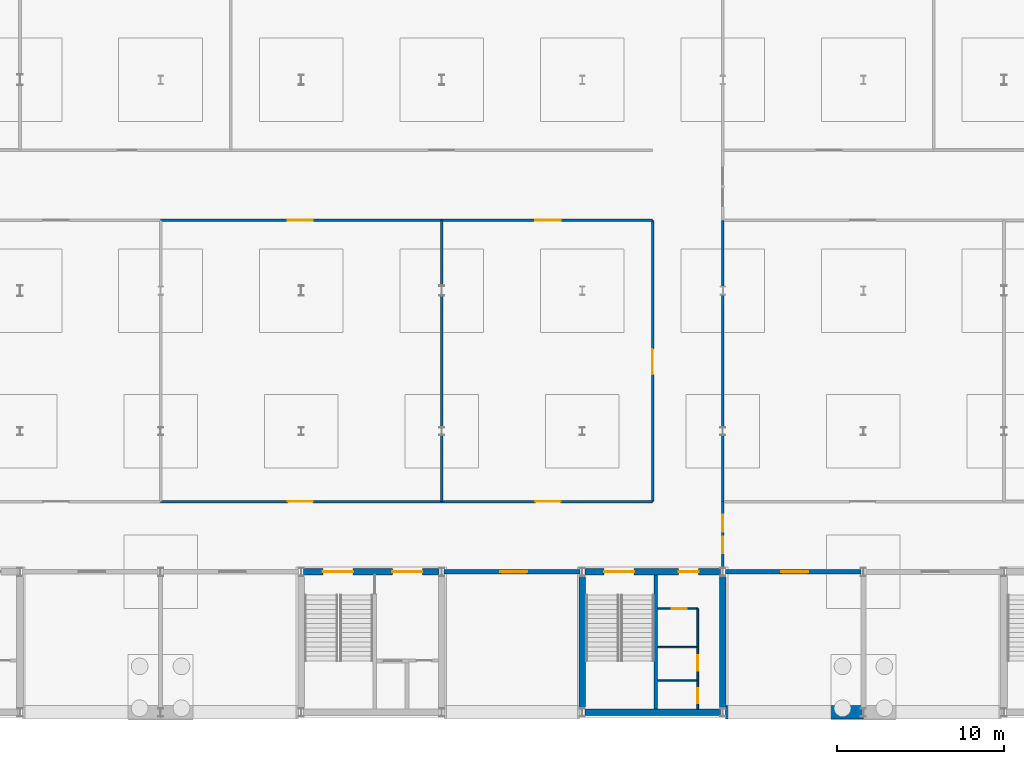
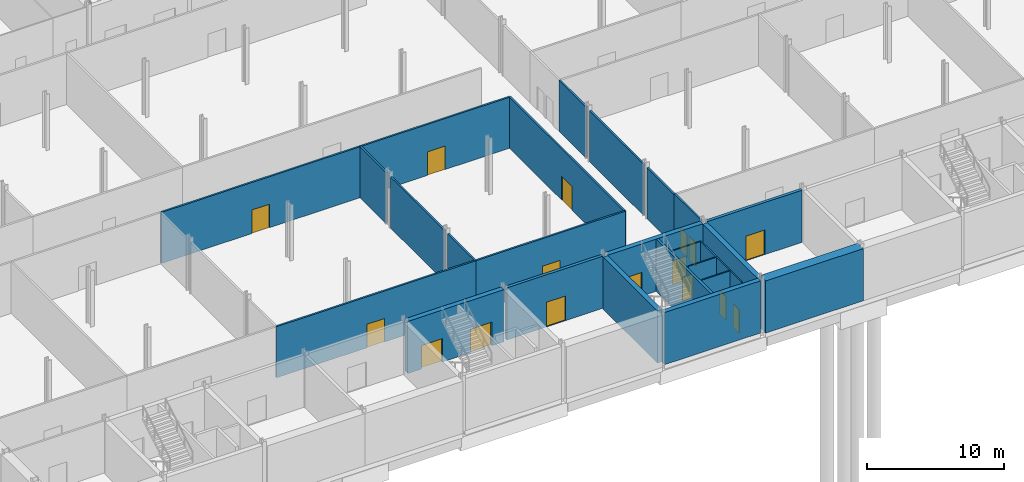
# One storey, part 13 of 22: 27 walls, 16 doors, 16 openings.
"""IFC4 building model written with IfcOpenShell, lengths in metres."""

from ifc_helpers import new_model, si_unit, direction, frame, frame_2d, origin, place, context, subcontext, project, spatial, rectangle, extrude, material, layer, layer_set, type_object, element, fill, save


model = new_model("IFC4")

# Units and contexts
model_context = context("Model", 3, precision=1e-05, world=origin(), true_north=direction((0.0, 1.0)))
body_context = subcontext(model_context, "Body", "Model", "MODEL_VIEW")
ifc_project = project(units=[si_unit("LENGTHUNIT", "METRE"), si_unit("AREAUNIT", "SQUARE_METRE"), si_unit("VOLUMEUNIT", "CUBIC_METRE"), si_unit("PLANEANGLEUNIT", "RADIAN"), si_unit("MASSUNIT", "GRAM", prefix="KILO")], contexts=[model_context])

# Site, building, storey
site_placement = place(None, origin())
site = spatial("IfcSite", under=ifc_project, at=site_placement, CompositionType="ELEMENT")
building_placement = place(site_placement, origin())
building = spatial("IfcBuilding", under=site, at=building_placement, Name="Galleria Vessillo Department Store", CompositionType="ELEMENT")
storey_placement = place(building_placement, frame((0.0, 0.0, -9.89990234375)))
storey = spatial("IfcBuildingStorey", under=building, at=storey_placement, Name="B2", CompositionType="ELEMENT", Elevation=-9.89990234375)

# Wall
ifc_material_1 = material(Name="Concrete C32/40 reinforced", Category="concrete")
ifc_layer_1 = layer(ifc_material_1, 0.800048828125)
ifc_layer_set_1 = layer_set([ifc_layer_1], Name="Concrete C32/40 reinforced")
wall_type_1 = type_object("IfcWallType", Name="Diaphragm wall 800 mm", PredefinedType="SOLIDWALL", material=ifc_layer_set_1)
wall_1_placement = place(storey_placement, frame((58.949951171875, 0.0, 0.0), z_axis=(0.0, 0.0, 1.0), x_axis=(1.0, 0.0, 0.0)))
element("IfcWall", 1, at=wall_1_placement, inside=storey, type_object=wall_type_1, Name="S-BW-S-B2-05", PredefinedType="SOLIDWALL", context=body_context, shape_type="SweptSolid", body=[
    extrude(rectangle(XDim=8.25, YDim=0.800048828125, at=frame_2d((4.125, 0.0))), origin(), (0.0, 0.0, 1.0), 4.64990234375),
])

# Wall, openings, doors
ifc_material_2 = material(Name="Concrete blockwork", Category="masonry")
ifc_layer_2 = layer(ifc_material_2, 0.14990234375)
ifc_layer_set_2 = layer_set([ifc_layer_2], Name="Concrete blockwork")
wall_type_2 = type_object("IfcWallType", Name="Fire-resisting dividing wall EI 120 150 mm", PredefinedType="SOLIDWALL", material=ifc_layer_set_2)
wall_2_placement = place(storey_placement, frame((58.800048828125, 8.64990234375, 0.0), z_axis=(0.0, 0.0, 1.0), x_axis=(0.0, 1.0, 0.0)))
wall_2 = element("IfcWall", 2, at=wall_2_placement, inside=storey, type_object=wall_type_2, Name="Partition wall PT12 on B2 no. 013", PredefinedType="SOLIDWALL", context=body_context, shape_type="SweptSolid", body=[
    extrude(rectangle(XDim=3.9501953125, YDim=0.14990234375, at=frame_2d((1.97509765625, 0.0))), origin(), (0.0, 0.0, 1.0), 4.64990234375),
])
opening_1_placement = place(wall_2_placement, frame((0.85009765625, 0.0, 0.0)))
opening_1 = element("IfcOpeningElement", 3, at=opening_1_placement, cuts=wall_2, Name="Opening D2007", PredefinedType="OPENING", context=body_context, shape_type="SweptSolid", body=[
    extrude(rectangle(XDim=1.0, YDim=2.10009765625, at=frame_2d((0.5, 1.050048828125))), frame((0.0, 0.0849609375, 0.0), z_axis=(0.0, -1.0, 0.0), x_axis=(1.0, 0.0, 0.0)), (0.0, 0.0, 1.0), 0.169921875),
])
opening_2_placement = place(wall_2_placement, frame((2.14990234375, 0.0, 0.0)))
opening_2 = element("IfcOpeningElement", 4, at=opening_2_placement, cuts=wall_2, Name="Opening D2008", PredefinedType="OPENING", context=body_context, shape_type="SweptSolid", body=[
    extrude(rectangle(XDim=1.0, YDim=2.10009765625, at=frame_2d((0.5, 1.050048828125))), frame((0.0, 0.0849609375, 0.0), z_axis=(0.0, -1.0, 0.0), x_axis=(1.0, 0.0, 0.0)), (0.0, 0.0, 1.0), 0.169921875),
])
ifc_material_3 = material(Name="Steel fire door leaf", Category="steel")
door_type_1 = type_object("IfcDoorType", Name="Fire door EI2 120-Sa 1000 single leaf", OperationType="SINGLE_SWING_LEFT", PredefinedType="DOOR", material=ifc_material_3)
door_1_placement = place(opening_1_placement, origin())
door_1 = element("IfcDoor", 5, at=door_1_placement, inside=storey, type_object=door_type_1, Name="Door D2007", OperationType="SINGLE_SWING_LEFT", OverallHeight=2.10009765625, OverallWidth=1.0, PredefinedType="DOOR", context=body_context, shape_type="SweptSolid", body=[
    extrude(rectangle(XDim=1.0, YDim=2.10009765625, at=frame_2d((0.5, 1.050048828125))), frame((0.0, 0.02490234375, 0.0), z_axis=(0.0, -1.0, 0.0), x_axis=(1.0, 0.0, 0.0)), (0.0, 0.0, 1.0), 0.050048828125),
])
fill(opening_1, door_1)
door_2_placement = place(opening_2_placement, frame((1.0, 0.0, 0.0), z_axis=(0.0, 0.0, 1.0), x_axis=(-1.0, 0.0, 0.0)))
door_2 = element("IfcDoor", 6, at=door_2_placement, inside=storey, type_object=door_type_1, Name="Door D2008", OperationType="SINGLE_SWING_LEFT", OverallHeight=2.10009765625, OverallWidth=1.0, PredefinedType="DOOR", context=body_context, shape_type="SweptSolid", body=[
    extrude(rectangle(XDim=1.0, YDim=2.10009765625, at=frame_2d((0.5, 1.050048828125))), frame((0.0, 0.02490234375, 0.0), z_axis=(0.0, -1.0, 0.0), x_axis=(1.0, 0.0, 0.0)), (0.0, 0.0, 1.0), 0.050048828125),
])
fill(opening_2, door_2)

# Wall, opening, door
ifc_material_4 = material(Name="Brick masonry", Category="masonry")
ifc_layer_3 = layer(ifc_material_4, 0.25)
ifc_layer_set_3 = layer_set([ifc_layer_3], Name="Brick masonry")
wall_type_3 = type_object("IfcWallType", Name="Plant room masonry wall 250 mm", PredefinedType="SOLIDWALL", material=ifc_layer_set_3)
wall_3_placement = place(storey_placement, frame((42.14990234375, 8.39990234375, 0.0), z_axis=(0.0, 0.0, 1.0), x_axis=(1.0, 0.0, 0.0)))
wall_3 = element("IfcWall", 7, at=wall_3_placement, inside=storey, type_object=wall_type_3, Name="Partition wall PT10 on B2 no. 017", PredefinedType="SOLIDWALL", context=body_context, shape_type="SweptSolid", body=[
    extrude(rectangle(XDim=8.10009765625, YDim=0.25, at=frame_2d((4.050048828125, 0.0))), origin(), (0.0, 0.0, 1.0), 4.64990234375),
])
opening_3_placement = place(wall_3_placement, frame((3.35009765625, 0.0, 0.0)))
opening_3 = element("IfcOpeningElement", 8, at=opening_3_placement, cuts=wall_3, Name="Opening D2012", PredefinedType="OPENING", context=body_context, shape_type="SweptSolid", body=[
    extrude(rectangle(XDim=1.60009765625, YDim=2.199951171875, at=frame_2d((0.800048828125, 1.10009765625))), frame((0.0, 0.135009765625, 0.0), z_axis=(0.0, -1.0, 0.0), x_axis=(1.0, 0.0, 0.0)), (0.0, 0.0, 1.0), 0.27001953125),
])
ifc_material_5 = material(Name="Steel fire door leaf", Category="steel")
door_type_2 = type_object("IfcDoorType", Name="Plant room fire door 1600 x 2200 double leaf", OperationType="DOUBLE_DOOR_SINGLE_SWING", PredefinedType="DOOR", material=ifc_material_5)
door_3_placement = place(opening_3_placement, frame((1.60009765625, 0.0, 0.0), z_axis=(0.0, 0.0, 1.0), x_axis=(-1.0, 0.0, 0.0)))
door_3 = element("IfcDoor", 9, at=door_3_placement, inside=storey, type_object=door_type_2, Name="Door D2012", OperationType="DOUBLE_DOOR_SINGLE_SWING", OverallHeight=2.199951171875, OverallWidth=1.60009765625, PredefinedType="DOOR", context=body_context, shape_type="SweptSolid", body=[
    extrude(rectangle(XDim=1.60009765625, YDim=2.199951171875, at=frame_2d((0.800048828125, 1.10009765625))), frame((0.0, 0.02490234375, 0.0), z_axis=(0.0, -1.0, 0.0), x_axis=(1.0, 0.0, 0.0)), (0.0, 0.0, 1.0), 0.050048828125),
])
fill(opening_3, door_3)

wall_4_placement = place(storey_placement, frame((58.949951171875, 8.39990234375, 0.0), z_axis=(0.0, 0.0, 1.0), x_axis=(1.0, 0.0, 0.0)))
wall_4 = element("IfcWall", 10, at=wall_4_placement, inside=storey, type_object=wall_type_3, Name="Partition wall PT10 on B2 no. 022", PredefinedType="SOLIDWALL", context=body_context, shape_type="SweptSolid", body=[
    extrude(rectangle(XDim=8.10009765625, YDim=0.25, at=frame_2d((4.050048828125, 0.0))), origin(), (0.0, 0.0, 1.0), 4.64990234375),
])
opening_4_placement = place(wall_4_placement, frame((3.35009765625, 0.0, 0.0)))
opening_4 = element("IfcOpeningElement", 11, at=opening_4_placement, cuts=wall_4, Name="Opening D2017", PredefinedType="OPENING", context=body_context, shape_type="SweptSolid", body=[
    extrude(rectangle(XDim=1.60009765625, YDim=2.199951171875, at=frame_2d((0.800048828125, 1.10009765625))), frame((0.0, 0.135009765625, 0.0), z_axis=(0.0, -1.0, 0.0), x_axis=(1.0, 0.0, 0.0)), (0.0, 0.0, 1.0), 0.27001953125),
])
door_4_placement = place(opening_4_placement, frame((1.60009765625, 0.0, 0.0), z_axis=(0.0, 0.0, 1.0), x_axis=(-1.0, 0.0, 0.0)))
door_4 = element("IfcDoor", 12, at=door_4_placement, inside=storey, type_object=door_type_2, Name="Door D2017", OperationType="DOUBLE_DOOR_SINGLE_SWING", OverallHeight=2.199951171875, OverallWidth=1.60009765625, PredefinedType="DOOR", context=body_context, shape_type="SweptSolid", body=[
    extrude(rectangle(XDim=1.60009765625, YDim=2.199951171875, at=frame_2d((0.800048828125, 1.10009765625))), frame((0.0, 0.02490234375, 0.0), z_axis=(0.0, -1.0, 0.0), x_axis=(1.0, 0.0, 0.0)), (0.0, 0.0, 1.0), 0.050048828125),
])
fill(opening_4, door_4)

# Wall, openings, doors
ifc_material_6 = material(Name="Concrete C32/40 reinforced", Category="concrete")
ifc_layer_4 = layer(ifc_material_6, 0.39990234375)
ifc_layer_set_4 = layer_set([ifc_layer_4], Name="Concrete C32/40 reinforced")
wall_type_4 = type_object("IfcWallType", Name="Reinforced concrete core wall 400 mm", PredefinedType="SHEAR", material=ifc_layer_set_4)
wall_5_placement = place(storey_placement, frame((33.75, 8.39990234375, 0.0), z_axis=(0.0, 0.0, 1.0), x_axis=(1.0, 0.0, 0.0)))
wall_5 = element("IfcWall", 13, at=wall_5_placement, inside=storey, type_object=wall_type_4, Name="S-CW-PC-SM-INTERIOR-B2", PredefinedType="SHEAR", context=body_context, shape_type="SweptSolid", body=[
    extrude(rectangle(XDim=8.10009765625, YDim=0.39990234375, at=frame_2d((4.050048828125, 0.0))), origin(), (0.0, 0.0, 1.0), 4.64990234375),
])
opening_5_placement = place(wall_5_placement, frame((1.14990234375, 0.0, 0.0)))
opening_5 = element("IfcOpeningElement", 14, at=opening_5_placement, cuts=wall_5, Name="Opening D5067", PredefinedType="OPENING", context=body_context, shape_type="SweptSolid", body=[
    extrude(rectangle(XDim=1.800048828125, YDim=2.10009765625, at=frame_2d((0.89990234375, 1.050048828125))), frame((0.0, 0.2099609375, 0.0), z_axis=(0.0, -1.0, 0.0), x_axis=(1.0, 0.0, 0.0)), (0.0, 0.0, 1.0), 0.419921875),
])
opening_6_placement = place(wall_5_placement, frame((5.2998046875, 0.0, 0.0)))
opening_6 = element("IfcOpeningElement", 15, at=opening_6_placement, cuts=wall_5, Name="Opening D5068", PredefinedType="OPENING", context=body_context, shape_type="SweptSolid", body=[
    extrude(rectangle(XDim=1.800048828125, YDim=2.10009765625, at=frame_2d((0.89990234375, 1.050048828125))), frame((0.0, 0.2099609375, 0.0), z_axis=(0.0, -1.0, 0.0), x_axis=(1.0, 0.0, 0.0)), (0.0, 0.0, 1.0), 0.419921875),
])
ifc_material_7 = material(Name="Fire-rated steel door leaf", Category="steel")
door_type_3 = type_object("IfcDoorType", Name="Door D180F double leaf 1800 x 2100", OperationType="DOUBLE_DOOR_SINGLE_SWING", PredefinedType="DOOR", material=ifc_material_7)
door_5_placement = place(opening_5_placement, frame((1.800048828125, 0.0, 0.0), z_axis=(0.0, 0.0, 1.0), x_axis=(-1.0, 0.0, 0.0)))
door_5 = element("IfcDoor", 16, at=door_5_placement, inside=storey, type_object=door_type_3, Name="Lobby door PC-SM-ST-FLOOR B2", OperationType="DOUBLE_DOOR_SINGLE_SWING", OverallHeight=2.10009765625, OverallWidth=1.800048828125, PredefinedType="DOOR", context=body_context, shape_type="SweptSolid", body=[
    extrude(rectangle(XDim=1.800048828125, YDim=2.10009765625, at=frame_2d((0.89990234375, 1.050048828125))), frame((0.0, 0.02490234375, 0.0), z_axis=(0.0, -1.0, 0.0), x_axis=(1.0, 0.0, 0.0)), (0.0, 0.0, 1.0), 0.050048828125),
])
fill(opening_5, door_5)
door_6_placement = place(opening_6_placement, origin())
door_6 = element("IfcDoor", 17, at=door_6_placement, inside=storey, type_object=door_type_3, Name="Lobby door PC-SM-LOBBY-FLOOR B2", OperationType="DOUBLE_DOOR_SINGLE_SWING", OverallHeight=2.10009765625, OverallWidth=1.800048828125, PredefinedType="DOOR", context=body_context, shape_type="SweptSolid", body=[
    extrude(rectangle(XDim=1.800048828125, YDim=2.10009765625, at=frame_2d((0.89990234375, 1.050048828125))), frame((0.0, 0.02490234375, 0.0), z_axis=(0.0, -1.0, 0.0), x_axis=(1.0, 0.0, 0.0)), (0.0, 0.0, 1.0), 0.050048828125),
])
fill(opening_6, door_6)

wall_6_placement = place(storey_placement, frame((50.5498046875, 8.39990234375, 0.0), z_axis=(0.0, 0.0, 1.0), x_axis=(1.0, 0.0, 0.0)))
wall_6 = element("IfcWall", 18, at=wall_6_placement, inside=storey, type_object=wall_type_4, Name="S-CW-PC-SC-INTERIOR-B2", PredefinedType="SHEAR", context=body_context, shape_type="SweptSolid", body=[
    extrude(rectangle(XDim=8.100341796875, YDim=0.39990234375, at=frame_2d((4.05029296875, 0.0))), origin(), (0.0, 0.0, 1.0), 4.64990234375),
])
opening_7_placement = place(wall_6_placement, frame((1.150146484375, 0.0, 0.0)))
opening_7 = element("IfcOpeningElement", 19, at=opening_7_placement, cuts=wall_6, Name="Opening D5189", PredefinedType="OPENING", context=body_context, shape_type="SweptSolid", body=[
    extrude(rectangle(XDim=1.800048828125, YDim=2.10009765625, at=frame_2d((0.89990234375, 1.050048828125))), frame((0.0, 0.2099609375, 0.0), z_axis=(0.0, -1.0, 0.0), x_axis=(1.0, 0.0, 0.0)), (0.0, 0.0, 1.0), 0.419921875),
])
opening_8_placement = place(wall_6_placement, frame((5.60009765625, 0.0, 0.0)))
opening_8 = element("IfcOpeningElement", 20, at=opening_8_placement, cuts=wall_6, Name="Opening D5190", PredefinedType="OPENING", context=body_context, shape_type="SweptSolid", body=[
    extrude(rectangle(XDim=1.199951171875, YDim=2.10009765625, at=frame_2d((0.60009765625, 1.050048828125))), frame((0.0, 0.2099609375, 0.0), z_axis=(0.0, -1.0, 0.0), x_axis=(1.0, 0.0, 0.0)), (0.0, 0.0, 1.0), 0.419921875),
])
ifc_material_8 = material(Name="Fire-rated steel door leaf", Category="steel")
door_type_4 = type_object("IfcDoorType", Name="Door D120F fire door 1200 x 2100", OperationType="SINGLE_SWING_LEFT", PredefinedType="DOOR", material=ifc_material_8)
door_7_placement = place(opening_8_placement, frame((1.199951171875, 0.0, 0.0), z_axis=(0.0, 0.0, 1.0), x_axis=(-1.0, 0.0, 0.0)))
door_7 = element("IfcDoor", 21, at=door_7_placement, inside=storey, type_object=door_type_4, Name="Lobby door PC-SC-WC-FLOOR B2", OperationType="SINGLE_SWING_RIGHT", OverallHeight=2.10009765625, OverallWidth=1.199951171875, PredefinedType="DOOR", context=body_context, shape_type="SweptSolid", body=[
    extrude(rectangle(XDim=1.199951171875, YDim=2.10009765625, at=frame_2d((0.60009765625, 1.050048828125))), frame((0.0, 0.02490234375, 0.0), z_axis=(0.0, -1.0, 0.0), x_axis=(1.0, 0.0, 0.0)), (0.0, 0.0, 1.0), 0.050048828125),
])
fill(opening_8, door_7)
door_8_placement = place(opening_7_placement, frame((1.800048828125, 0.0, 0.0), z_axis=(0.0, 0.0, 1.0), x_axis=(-1.0, 0.0, 0.0)))
door_8 = element("IfcDoor", 22, at=door_8_placement, inside=storey, type_object=door_type_3, Name="Lobby door PC-SC-ST-FLOOR B2", OperationType="DOUBLE_DOOR_SINGLE_SWING", OverallHeight=2.10009765625, OverallWidth=1.800048828125, PredefinedType="DOOR", context=body_context, shape_type="SweptSolid", body=[
    extrude(rectangle(XDim=1.800048828125, YDim=2.10009765625, at=frame_2d((0.89990234375, 1.050048828125))), frame((0.0, 0.02490234375, 0.0), z_axis=(0.0, -1.0, 0.0), x_axis=(1.0, 0.0, 0.0)), (0.0, 0.0, 1.0), 0.050048828125),
])
fill(opening_7, door_8)

# Walls
for number, where, z_axis, x_axis, name in (
    (23, (50.39990234375, 0.25, 0.0), (0.0, 0.0, 1.0), (0.0, 1.0, 0.0), "S-CW-PC-SC-WEST-B2"),
    (24, (58.800048828125, 0.25, 0.0), (0.0, 0.0, 1.0), (0.0, 1.0, 0.0), "S-CW-PC-SC-EAST-B2"),
):
    element("IfcWall", number, at=place(storey_placement, frame(where, z_axis=z_axis, x_axis=x_axis)), inside=storey, type_object=wall_type_4, Name=name, PredefinedType="SHEAR", context=body_context, shape_type="SweptSolid", body=[
        extrude(rectangle(XDim=7.89990234375, YDim=0.39990234375, at=frame_2d((3.949951171875, 0.0))), origin(), (0.0, 0.0, 1.0), 4.64990234375),
    ])
ifc_material_9 = material(Name="Concrete C32/40 reinforced", Category="concrete")
ifc_layer_5 = layer(ifc_material_9, 0.39990234375)
ifc_layer_set_5 = layer_set([ifc_layer_5], Name="Concrete C32/40 reinforced")
wall_type_5 = type_object("IfcWallType", Name="Reinforced concrete core wall 400 mm, external", PredefinedType="SHEAR", material=ifc_layer_set_5)
wall_7_placement = place(storey_placement, frame((50.5498046875, 0.0, 0.0), z_axis=(0.0, 0.0, 1.0), x_axis=(1.0, 0.0, 0.0)))
element("IfcWall", 25, at=wall_7_placement, inside=storey, type_object=wall_type_5, Name="S-CW-PC-SC-PARTY-B2", PredefinedType="SHEAR", context=body_context, shape_type="SweptSolid", body=[
    extrude(rectangle(XDim=8.100341796875, YDim=0.39990234375, at=frame_2d((4.05029296875, 0.0))), origin(), (0.0, 0.0, 1.0), 4.64990234375),
])
ifc_material_10 = material(Name="Concrete C32/40 reinforced", Category="concrete")
ifc_layer_6 = layer(ifc_material_10, 0.199951171875)
ifc_layer_set_6 = layer_set([ifc_layer_6], Name="Concrete C32/40 reinforced")
wall_type_6 = type_object("IfcWallType", Name="Reinforced concrete stair enclosure wall 200 mm", PredefinedType="SHEAR", material=ifc_layer_set_6)
wall_8_placement = place(storey_placement, frame((54.7998046875, 0.199951171875, 0.0), z_axis=(0.0, 0.0, 1.0), x_axis=(0.0, 1.0, 0.0)))
element("IfcWall", 26, at=wall_8_placement, inside=storey, type_object=wall_type_6, Name="Stair enclosure wall PC-SC B2", PredefinedType="SHEAR", context=body_context, shape_type="SweptSolid", body=[
    extrude(rectangle(XDim=8.0, YDim=0.199951171875, at=frame_2d((4.0, 0.0))), origin(), (0.0, 0.0, 1.0), 4.64990234375),
])

# Wall, opening, door
ifc_material_11 = material(Name="Concrete blockwork", Category="masonry")
ifc_layer_7 = layer(ifc_material_11, 0.14990234375)
ifc_layer_set_7 = layer_set([ifc_layer_7], Name="Concrete blockwork")
wall_type_7 = type_object("IfcWallType", Name="Stockroom blockwork wall 150 mm", PredefinedType="SOLIDWALL", material=ifc_layer_set_7)
wall_9_placement = place(storey_placement, frame((25.199951171875, 12.60009765625, 0.0), z_axis=(0.0, 0.0, 1.0), x_axis=(1.0, 0.0, 0.0)))
wall_9 = element("IfcWall", 27, at=wall_9_placement, inside=storey, type_object=wall_type_7, Name="Partition wall PT4 on B2 no. 020", PredefinedType="SOLIDWALL", context=body_context, shape_type="SweptSolid", body=[
    extrude(rectangle(XDim=16.800048828125, YDim=0.14990234375, at=frame_2d((8.39990234375, 0.0))), origin(), (0.0, 0.0, 1.0), 4.550048828125),
])
opening_9_placement = place(wall_9_placement, frame((7.60009765625, 0.0, 0.0)))
opening_9 = element("IfcOpeningElement", 28, at=opening_9_placement, cuts=wall_9, Name="Opening D2015", PredefinedType="OPENING", context=body_context, shape_type="SweptSolid", body=[
    extrude(rectangle(XDim=1.5, YDim=2.10009765625, at=frame_2d((0.75, 1.050048828125))), frame((0.0, 0.0849609375, 0.0), z_axis=(0.0, -1.0, 0.0), x_axis=(1.0, 0.0, 0.0)), (0.0, 0.0, 1.0), 0.169921875),
])
ifc_material_12 = material(Name="Steel fire door leaf", Category="steel")
door_type_5 = type_object("IfcDoorType", Name="Stockroom fire door 1500 double leaf", OperationType="DOUBLE_DOOR_SINGLE_SWING", PredefinedType="DOOR", material=ifc_material_12)
door_9_placement = place(opening_9_placement, origin())
door_9 = element("IfcDoor", 29, at=door_9_placement, inside=storey, type_object=door_type_5, Name="Door D2015", OperationType="DOUBLE_DOOR_SINGLE_SWING", OverallHeight=2.10009765625, OverallWidth=1.5, PredefinedType="DOOR", context=body_context, shape_type="SweptSolid", body=[
    extrude(rectangle(XDim=1.5, YDim=2.10009765625, at=frame_2d((0.75, 1.050048828125))), frame((0.0, 0.02490234375, 0.0), z_axis=(0.0, -1.0, 0.0), x_axis=(1.0, 0.0, 0.0)), (0.0, 0.0, 1.0), 0.050048828125),
])
fill(opening_9, door_9)

wall_10_placement = place(storey_placement, frame((42.0, 12.60009765625, 0.0), z_axis=(0.0, 0.0, 1.0), x_axis=(1.0, 0.0, 0.0)))
wall_10 = element("IfcWall", 30, at=wall_10_placement, inside=storey, type_object=wall_type_7, Name="Partition wall PT4 on B2 no. 021", PredefinedType="SOLIDWALL", context=body_context, shape_type="SweptSolid", body=[
    extrude(rectangle(XDim=12.60009765625, YDim=0.14990234375, at=frame_2d((6.300048828125, 0.0))), origin(), (0.0, 0.0, 1.0), 4.550048828125),
])
opening_10_placement = place(wall_10_placement, frame((5.60009765625, 0.0, 0.0)))
opening_10 = element("IfcOpeningElement", 31, at=opening_10_placement, cuts=wall_10, Name="Opening D2016", PredefinedType="OPENING", context=body_context, shape_type="SweptSolid", body=[
    extrude(rectangle(XDim=1.5, YDim=2.10009765625, at=frame_2d((0.75, 1.050048828125))), frame((0.0, 0.0849609375, 0.0), z_axis=(0.0, -1.0, 0.0), x_axis=(1.0, 0.0, 0.0)), (0.0, 0.0, 1.0), 0.169921875),
])
door_10_placement = place(opening_10_placement, origin())
door_10 = element("IfcDoor", 32, at=door_10_placement, inside=storey, type_object=door_type_5, Name="Door D2016", OperationType="DOUBLE_DOOR_SINGLE_SWING", OverallHeight=2.10009765625, OverallWidth=1.5, PredefinedType="DOOR", context=body_context, shape_type="SweptSolid", body=[
    extrude(rectangle(XDim=1.5, YDim=2.10009765625, at=frame_2d((0.75, 1.050048828125))), frame((0.0, 0.02490234375, 0.0), z_axis=(0.0, -1.0, 0.0), x_axis=(1.0, 0.0, 0.0)), (0.0, 0.0, 1.0), 0.050048828125),
])
fill(opening_10, door_10)

wall_11_placement = place(storey_placement, frame((25.199951171875, 29.39990234375, 0.0), z_axis=(0.0, 0.0, 1.0), x_axis=(1.0, 0.0, 0.0)))
wall_11 = element("IfcWall", 33, at=wall_11_placement, inside=storey, type_object=wall_type_7, Name="Partition wall PT4 on B2 no. 033", PredefinedType="SOLIDWALL", context=body_context, shape_type="SweptSolid", body=[
    extrude(rectangle(XDim=16.800048828125, YDim=0.14990234375, at=frame_2d((8.39990234375, 0.0))), origin(), (0.0, 0.0, 1.0), 4.550048828125),
])
opening_11_placement = place(wall_11_placement, frame((7.60009765625, 0.0, 0.0)))
opening_11 = element("IfcOpeningElement", 34, at=opening_11_placement, cuts=wall_11, Name="Opening D2029", PredefinedType="OPENING", context=body_context, shape_type="SweptSolid", body=[
    extrude(rectangle(XDim=1.5, YDim=2.10009765625, at=frame_2d((0.75, 1.050048828125))), frame((0.0, 0.0849609375, 0.0), z_axis=(0.0, -1.0, 0.0), x_axis=(1.0, 0.0, 0.0)), (0.0, 0.0, 1.0), 0.169921875),
])
door_11_placement = place(opening_11_placement, frame((1.5, 0.0, 0.0), z_axis=(0.0, 0.0, 1.0), x_axis=(-1.0, 0.0, 0.0)))
door_11 = element("IfcDoor", 35, at=door_11_placement, inside=storey, type_object=door_type_5, Name="Door D2029", OperationType="DOUBLE_DOOR_SINGLE_SWING", OverallHeight=2.10009765625, OverallWidth=1.5, PredefinedType="DOOR", context=body_context, shape_type="SweptSolid", body=[
    extrude(rectangle(XDim=1.5, YDim=2.10009765625, at=frame_2d((0.75, 1.050048828125))), frame((0.0, 0.02490234375, 0.0), z_axis=(0.0, -1.0, 0.0), x_axis=(1.0, 0.0, 0.0)), (0.0, 0.0, 1.0), 0.050048828125),
])
fill(opening_11, door_11)

wall_12_placement = place(storey_placement, frame((42.0, 29.39990234375, 0.0), z_axis=(0.0, 0.0, 1.0), x_axis=(1.0, 0.0, 0.0)))
wall_12 = element("IfcWall", 36, at=wall_12_placement, inside=storey, type_object=wall_type_7, Name="Partition wall PT4 on B2 no. 034", PredefinedType="SOLIDWALL", context=body_context, shape_type="SweptSolid", body=[
    extrude(rectangle(XDim=12.60009765625, YDim=0.14990234375, at=frame_2d((6.300048828125, 0.0))), origin(), (0.0, 0.0, 1.0), 4.550048828125),
])
opening_12_placement = place(wall_12_placement, frame((5.60009765625, 0.0, 0.0)))
opening_12 = element("IfcOpeningElement", 37, at=opening_12_placement, cuts=wall_12, Name="Opening D2030", PredefinedType="OPENING", context=body_context, shape_type="SweptSolid", body=[
    extrude(rectangle(XDim=1.5, YDim=2.10009765625, at=frame_2d((0.75, 1.050048828125))), frame((0.0, 0.0849609375, 0.0), z_axis=(0.0, -1.0, 0.0), x_axis=(1.0, 0.0, 0.0)), (0.0, 0.0, 1.0), 0.169921875),
])
door_12_placement = place(opening_12_placement, frame((1.5, 0.0, 0.0), z_axis=(0.0, 0.0, 1.0), x_axis=(-1.0, 0.0, 0.0)))
door_12 = element("IfcDoor", 38, at=door_12_placement, inside=storey, type_object=door_type_5, Name="Door D2030", OperationType="DOUBLE_DOOR_SINGLE_SWING", OverallHeight=2.10009765625, OverallWidth=1.5, PredefinedType="DOOR", context=body_context, shape_type="SweptSolid", body=[
    extrude(rectangle(XDim=1.5, YDim=2.10009765625, at=frame_2d((0.75, 1.050048828125))), frame((0.0, 0.02490234375, 0.0), z_axis=(0.0, -1.0, 0.0), x_axis=(1.0, 0.0, 0.0)), (0.0, 0.0, 1.0), 0.050048828125),
])
fill(opening_12, door_12)

wall_13_placement = place(storey_placement, frame((54.60009765625, 12.60009765625, 0.0), z_axis=(0.0, 0.0, 1.0), x_axis=(0.0, 1.0, 0.0)))
wall_13 = element("IfcWall", 39, at=wall_13_placement, inside=storey, type_object=wall_type_7, Name="Partition wall PT4 on B2 no. 064", PredefinedType="SOLIDWALL", context=body_context, shape_type="SweptSolid", body=[
    extrude(rectangle(XDim=16.7998046875, YDim=0.14990234375, at=frame_2d((8.39990234375, 0.0))), origin(), (0.0, 0.0, 1.0), 4.550048828125),
])
opening_13_placement = place(wall_13_placement, frame((7.60009765625, 0.0, 0.0)))
opening_13 = element("IfcOpeningElement", 40, at=opening_13_placement, cuts=wall_13, Name="Opening D2059", PredefinedType="OPENING", context=body_context, shape_type="SweptSolid", body=[
    extrude(rectangle(XDim=1.5, YDim=2.10009765625, at=frame_2d((0.75, 1.050048828125))), frame((0.0, 0.0849609375, 0.0), z_axis=(0.0, -1.0, 0.0), x_axis=(1.0, 0.0, 0.0)), (0.0, 0.0, 1.0), 0.169921875),
])
door_13_placement = place(opening_13_placement, origin())
door_13 = element("IfcDoor", 41, at=door_13_placement, inside=storey, type_object=door_type_5, Name="Door D2059", OperationType="DOUBLE_DOOR_SINGLE_SWING", OverallHeight=2.10009765625, OverallWidth=1.5, PredefinedType="DOOR", context=body_context, shape_type="SweptSolid", body=[
    extrude(rectangle(XDim=1.5, YDim=2.10009765625, at=frame_2d((0.75, 1.050048828125))), frame((0.0, 0.02490234375, 0.0), z_axis=(0.0, -1.0, 0.0), x_axis=(1.0, 0.0, 0.0)), (0.0, 0.0, 1.0), 0.050048828125),
])
fill(opening_13, door_13)

# Walls
wall_14_placement = place(storey_placement, frame((58.800048828125, 12.60009765625, 0.0), z_axis=(0.0, 0.0, 1.0), x_axis=(0.0, 1.0, 0.0)))
element("IfcWall", 42, at=wall_14_placement, inside=storey, type_object=wall_type_7, Name="Partition wall PT4 on B2 no. 065", PredefinedType="SOLIDWALL", context=body_context, shape_type="SweptSolid", body=[
    extrude(rectangle(XDim=3.949951171875, YDim=0.14990234375, at=frame_2d((1.97509765625, 0.0))), origin(), (0.0, 0.0, 1.0), 4.550048828125),
])
wall_15_placement = place(storey_placement, frame((58.800048828125, 17.050048828125, 0.0), z_axis=(0.0, 0.0, 1.0), x_axis=(0.0, 1.0, 0.0)))
element("IfcWall", 43, at=wall_15_placement, inside=storey, type_object=wall_type_7, Name="Partition wall PT4 on B2 no. 066", PredefinedType="SOLIDWALL", context=body_context, shape_type="SweptSolid", body=[
    extrude(rectangle(XDim=7.887939453125, YDim=0.14990234375, at=frame_2d((3.94384765625, 0.0))), origin(), (0.0, 0.0, 1.0), 4.550048828125),
])
wall_16_placement = place(storey_placement, frame((58.800048828125, 25.4619140625, 0.0), z_axis=(0.0, 0.0, 1.0), x_axis=(0.0, 1.0, 0.0)))
element("IfcWall", 44, at=wall_16_placement, inside=storey, type_object=wall_type_7, Name="Partition wall PT4 on B2 no. 067", PredefinedType="SOLIDWALL", context=body_context, shape_type="SweptSolid", body=[
    extrude(rectangle(XDim=3.93798828125, YDim=0.14990234375, at=frame_2d((1.968994140625, 0.0))), origin(), (0.0, 0.0, 1.0), 4.550048828125),
])
wall_17_placement = place(storey_placement, frame((42.0, 12.60009765625, 0.0), z_axis=(0.0, 0.0, 1.0), x_axis=(0.0, 1.0, 0.0)))
element("IfcWall", 45, at=wall_17_placement, inside=storey, type_object=wall_type_7, Name="Partition wall PT4 on B2 no. 078", PredefinedType="SOLIDWALL", context=body_context, shape_type="SweptSolid", body=[
    extrude(rectangle(XDim=3.949951171875, YDim=0.14990234375, at=frame_2d((1.97509765625, 0.0))), origin(), (0.0, 0.0, 1.0), 4.550048828125),
])
wall_18_placement = place(storey_placement, frame((42.0, 17.050048828125, 0.0), z_axis=(0.0, 0.0, 1.0), x_axis=(0.0, 1.0, 0.0)))
element("IfcWall", 46, at=wall_18_placement, inside=storey, type_object=wall_type_7, Name="Partition wall PT4 on B2 no. 079", PredefinedType="SOLIDWALL", context=body_context, shape_type="SweptSolid", body=[
    extrude(rectangle(XDim=7.83984375, YDim=0.14990234375, at=frame_2d((3.919921875, 0.0))), origin(), (0.0, 0.0, 1.0), 4.550048828125),
])
wall_19_placement = place(storey_placement, frame((42.0, 25.510009765625, 0.0), z_axis=(0.0, 0.0, 1.0), x_axis=(0.0, 1.0, 0.0)))
element("IfcWall", 47, at=wall_19_placement, inside=storey, type_object=wall_type_7, Name="Partition wall PT4 on B2 no. 080", PredefinedType="SOLIDWALL", context=body_context, shape_type="SweptSolid", body=[
    extrude(rectangle(XDim=3.889892578125, YDim=0.14990234375, at=frame_2d((1.94482421875, 0.0))), origin(), (0.0, 0.0, 1.0), 4.550048828125),
])

# Wall, opening, door
ifc_material_13 = material(Name="Moisture-resistant board partition")
ifc_layer_8 = layer(ifc_material_13, 0.10009765625)
ifc_layer_set_8 = layer_set([ifc_layer_8], Name="Moisture-resistant board partition")
wall_type_8 = type_object("IfcWallType", Name="WC and cubicle partition 100 mm", PredefinedType="PARTITIONING", material=ifc_layer_set_8)
wall_20_placement = place(storey_placement, frame((54.89990234375, 6.199951171875, 0.0), z_axis=(0.0, 0.0, 1.0), x_axis=(1.0, 0.0, 0.0)))
wall_20 = element("IfcWall", 48, at=wall_20_placement, inside=storey, type_object=wall_type_8, Name="Partition wall PT1 on B2 no. 001", PredefinedType="PARTITIONING", context=body_context, shape_type="SweptSolid", body=[
    extrude(rectangle(XDim=2.39990234375, YDim=0.10009765625, at=frame_2d((1.199951171875, 0.0))), origin(), (0.0, 0.0, 1.0), 4.780029296875),
])
opening_14_placement = place(wall_20_placement, frame((0.85009765625, 0.0, 0.0)))
opening_14 = element("IfcOpeningElement", 49, at=opening_14_placement, cuts=wall_20, Name="Opening D2001", PredefinedType="OPENING", context=body_context, shape_type="SweptSolid", body=[
    extrude(rectangle(XDim=0.89990234375, YDim=2.10009765625, at=frame_2d((0.449951171875, 1.050048828125))), frame((0.0, 0.06005859375, 0.0), z_axis=(0.0, -1.0, 0.0), x_axis=(1.0, 0.0, 0.0)), (0.0, 0.0, 1.0), 0.1201171875),
])
ifc_material_14 = material(Name="Timber and glass door leaf", Category="wood")
door_type_6 = type_object("IfcDoorType", Name="Floor door 900 single leaf", OperationType="SINGLE_SWING_LEFT", PredefinedType="DOOR", material=ifc_material_14)
door_14_placement = place(opening_14_placement, origin())
door_14 = element("IfcDoor", 50, at=door_14_placement, inside=storey, type_object=door_type_6, Name="Door D2001", OperationType="SINGLE_SWING_LEFT", OverallHeight=2.10009765625, OverallWidth=0.89990234375, PredefinedType="DOOR", context=body_context, shape_type="SweptSolid", body=[
    extrude(rectangle(XDim=0.89990234375, YDim=2.10009765625, at=frame_2d((0.449951171875, 1.050048828125))), frame((0.0, 0.02490234375, 0.0), z_axis=(0.0, -1.0, 0.0), x_axis=(1.0, 0.0, 0.0)), (0.0, 0.0, 1.0), 0.050048828125),
])
fill(opening_14, door_14)

# Wall
wall_21_placement = place(storey_placement, frame((57.2998046875, 3.89990234375, 0.0), z_axis=(0.0, 0.0, 1.0), x_axis=(0.0, 1.0, 0.0)))
element("IfcWall", 51, at=wall_21_placement, inside=storey, type_object=wall_type_8, Name="Partition wall PT1 on B2 no. 002", PredefinedType="PARTITIONING", context=body_context, shape_type="SweptSolid", body=[
    extrude(rectangle(XDim=2.300048828125, YDim=0.10009765625, at=frame_2d((1.14990234375, 0.0))), origin(), (0.0, 0.0, 1.0), 4.780029296875),
])

# Wall, opening, door
wall_22_placement = place(storey_placement, frame((57.2998046875, 1.89990234375, 0.0), z_axis=(0.0, 0.0, 1.0), x_axis=(0.0, 1.0, 0.0)))
wall_22 = element("IfcWall", 52, at=wall_22_placement, inside=storey, type_object=wall_type_8, Name="Partition wall PT1 on B2 no. 003", PredefinedType="PARTITIONING", context=body_context, shape_type="SweptSolid", body=[
    extrude(rectangle(XDim=2.0, YDim=0.10009765625, at=frame_2d((1.0, 0.0))), origin(), (0.0, 0.0, 1.0), 4.780029296875),
])
opening_15_placement = place(wall_22_placement, frame((0.60009765625, 0.0, 0.0)))
opening_15 = element("IfcOpeningElement", 53, at=opening_15_placement, cuts=wall_22, Name="Opening D2002", PredefinedType="OPENING", context=body_context, shape_type="SweptSolid", body=[
    extrude(rectangle(XDim=0.89990234375, YDim=2.10009765625, at=frame_2d((0.449951171875, 1.050048828125))), frame((0.0, 0.06005859375, 0.0), z_axis=(0.0, -1.0, 0.0), x_axis=(1.0, 0.0, 0.0)), (0.0, 0.0, 1.0), 0.1201171875),
])
door_15_placement = place(opening_15_placement, frame((0.89990234375, 0.0, 0.0), z_axis=(0.0, 0.0, 1.0), x_axis=(-1.0, 0.0, 0.0)))
door_15 = element("IfcDoor", 54, at=door_15_placement, inside=storey, type_object=door_type_6, Name="Door D2002", OperationType="SINGLE_SWING_LEFT", OverallHeight=2.10009765625, OverallWidth=0.89990234375, PredefinedType="DOOR", context=body_context, shape_type="SweptSolid", body=[
    extrude(rectangle(XDim=0.89990234375, YDim=2.10009765625, at=frame_2d((0.449951171875, 1.050048828125))), frame((0.0, 0.02490234375, 0.0), z_axis=(0.0, -1.0, 0.0), x_axis=(1.0, 0.0, 0.0)), (0.0, 0.0, 1.0), 0.050048828125),
])
fill(opening_15, door_15)

wall_23_placement = place(storey_placement, frame((57.2998046875, 0.199951171875, 0.0), z_axis=(0.0, 0.0, 1.0), x_axis=(0.0, 1.0, 0.0)))
wall_23 = element("IfcWall", 55, at=wall_23_placement, inside=storey, type_object=wall_type_8, Name="Partition wall PT1 on B2 no. 004", PredefinedType="PARTITIONING", context=body_context, shape_type="SweptSolid", body=[
    extrude(rectangle(XDim=1.699951171875, YDim=0.10009765625, at=frame_2d((0.85009765625, 0.0))), origin(), (0.0, 0.0, 1.0), 4.780029296875),
])
opening_16_placement = place(wall_23_placement, frame((0.35009765625, 0.0, 0.0)))
opening_16 = element("IfcOpeningElement", 56, at=opening_16_placement, cuts=wall_23, Name="Opening D2003", PredefinedType="OPENING", context=body_context, shape_type="SweptSolid", body=[
    extrude(rectangle(XDim=0.89990234375, YDim=2.10009765625, at=frame_2d((0.449951171875, 1.050048828125))), frame((0.0, 0.06005859375, 0.0), z_axis=(0.0, -1.0, 0.0), x_axis=(1.0, 0.0, 0.0)), (0.0, 0.0, 1.0), 0.1201171875),
])
ifc_material_15 = material(Name="Timber and glass door leaf", Category="wood")
door_type_7 = type_object("IfcDoorType", Name="Accessible WC door 900 sliding", OperationType="SLIDING_TO_LEFT", PredefinedType="DOOR", material=ifc_material_15)
door_16_placement = place(opening_16_placement, origin())
door_16 = element("IfcDoor", 57, at=door_16_placement, inside=storey, type_object=door_type_7, Name="Door D2003", OperationType="SLIDING_TO_RIGHT", OverallHeight=2.10009765625, OverallWidth=0.89990234375, PredefinedType="DOOR", context=body_context, shape_type="SweptSolid", body=[
    extrude(rectangle(XDim=0.89990234375, YDim=2.10009765625, at=frame_2d((0.449951171875, 1.050048828125))), frame((0.0, 0.02490234375, 0.0), z_axis=(0.0, -1.0, 0.0), x_axis=(1.0, 0.0, 0.0)), (0.0, 0.0, 1.0), 0.050048828125),
])
fill(opening_16, door_16)

# Walls
for number, where, z_axis, x_axis, name in (
    (58, (54.89990234375, 3.89990234375, 0.0), (0.0, 0.0, 1.0), (1.0, 0.0, 0.0), "Partition wall PT1 on B2 no. 005"),
    (59, (54.89990234375, 1.89990234375, 0.0), (0.0, 0.0, 1.0), (1.0, 0.0, 0.0), "Partition wall PT1 on B2 no. 006"),
):
    element("IfcWall", number, at=place(storey_placement, frame(where, z_axis=z_axis, x_axis=x_axis)), inside=storey, type_object=wall_type_8, Name=name, PredefinedType="PARTITIONING", context=body_context, shape_type="SweptSolid", body=[
        extrude(rectangle(XDim=2.39990234375, YDim=0.10009765625, at=frame_2d((1.199951171875, 0.0))), origin(), (0.0, 0.0, 1.0), 4.780029296875),
    ])

save(model, "model.ifc")
